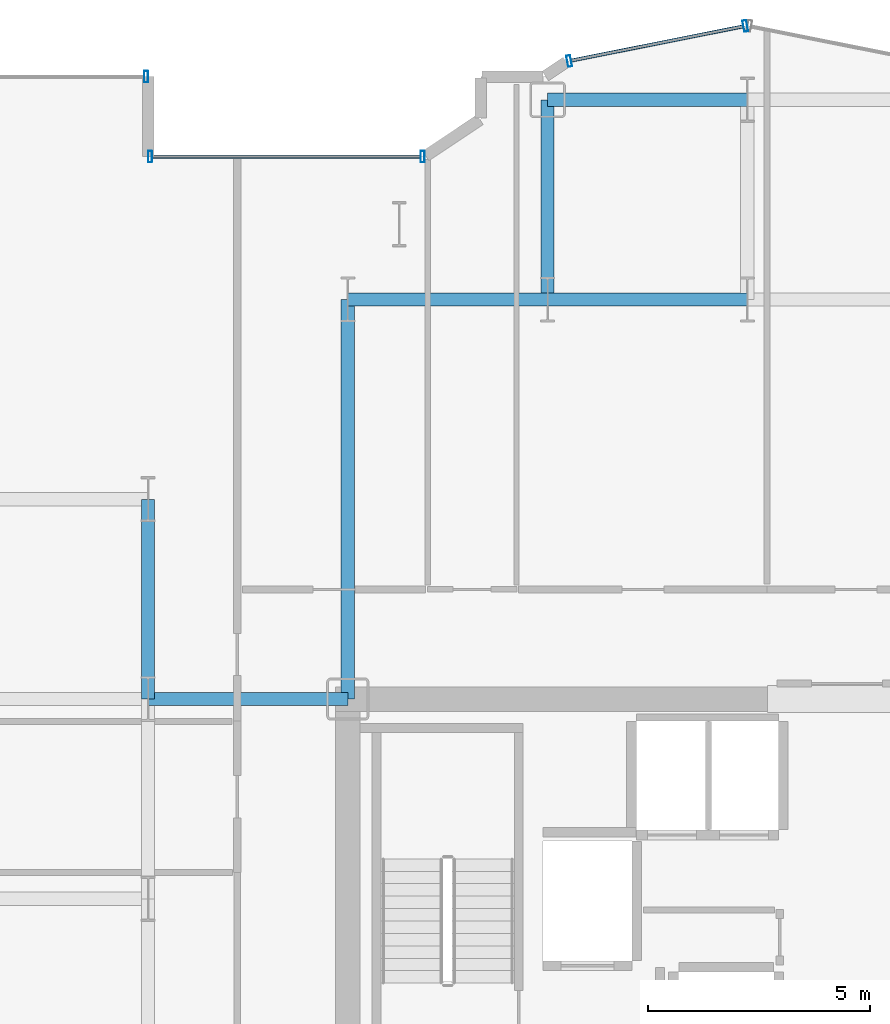
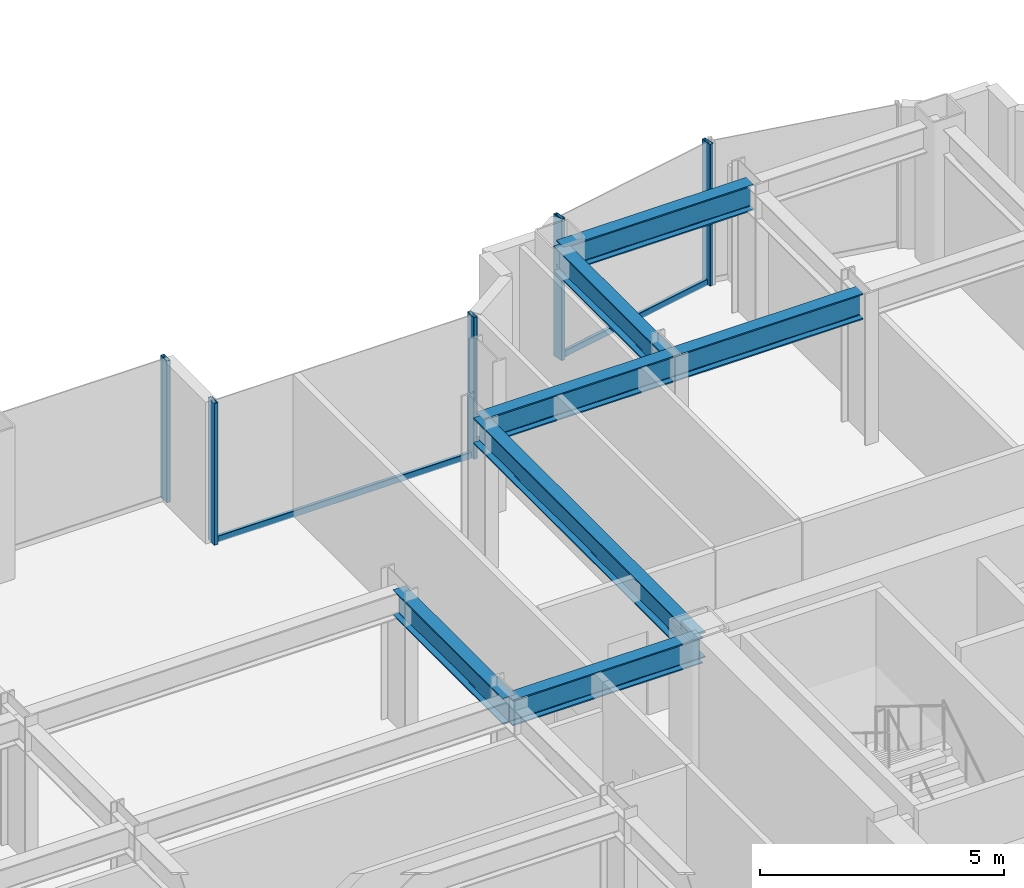
# One storey, part 10 of 26: 7 beams, 7 members, 3 elements without a shape of their own.
"""IFC4 building model written with IfcOpenShell, lengths in metres."""

import ifcopenshell
import ifcopenshell.guid

model = None  # the IFC model being written
_history = None  # IfcOwnerHistory: only IFC2X3 demands one
_inside = {}  # id of a spatial element -> (the spatial element, [elements in it])
_under = {}  # id of a project, library or spatial element -> (it, [spatial elements below it])
_declared = {}  # id of a project -> (the project, [libraries it declares])
_typed = {}  # id of a type object -> (the type object, [elements of that type])
_made_of = {}  # id of a material, layer set ... -> (it, [elements and type objects made of it])


def new_model(schema):
    """Start an empty IFC model of exactly this schema.

    Asked for "IFC4X3", IfcOpenShell would pick the latest addendum, in which some entities
    have other attributes; the version numbers below select the first issue.
    IFC2X3 requires an IfcOwnerHistory on every rooted entity: one is made here for all.
    """
    global model, _history
    if schema == "IFC4X3":
        model = ifcopenshell.file(schema_version=(4, 3, 0, 0))
    else:
        model = ifcopenshell.file(schema=schema)
    _inside.clear()
    _under.clear()
    _declared.clear()
    _typed.clear()
    _made_of.clear()
    _history = None
    if model.schema == "IFC2X3":
        org = make("IfcOrganization", Name="unknown")
        user = make(
            "IfcPersonAndOrganization",
            ThePerson=make("IfcPerson", FamilyName="unknown"),
            TheOrganization=org,
        )
        app = make(
            "IfcApplication",
            ApplicationDeveloper=org,
            Version="unknown",
            ApplicationFullName="unknown",
            ApplicationIdentifier="unknown",
        )
        _history = make(
            "IfcOwnerHistory",
            OwningUser=user,
            OwningApplication=app,
            ChangeAction="ADDED",
            CreationDate=0,
        )
    return model


def make(cls, **values):
    """One entity of the class cls with the attributes given. An attribute that is None is left unset."""
    return model.create_entity(
        cls, **{name: value for name, value in values.items() if value is not None}
    )


def rooted(cls, **values):
    """An entity with a GlobalId (a new one), such as an element, a storey or a relation."""
    return make(cls, GlobalId=ifcopenshell.guid.new(), OwnerHistory=_history, **values)


def si_unit(unit_type, name, prefix=None):
    """IfcSIUnit, for example si_unit("LENGTHUNIT", "METRE", prefix="MILLI")."""
    return make("IfcSIUnit", UnitType=unit_type, Prefix=prefix, Name=name)


def assignment(units):
    """IfcUnitAssignment: the units of a project."""
    return None if units is None else make("IfcUnitAssignment", Units=units)


def point(xyz):
    """IfcCartesianPoint."""
    return None if xyz is None else make("IfcCartesianPoint", Coordinates=xyz)


def direction(xyz):
    """IfcDirection."""
    return None if xyz is None else make("IfcDirection", DirectionRatios=xyz)


def frame(location, z_axis=None, x_axis=None):
    """IfcAxis2Placement3D, a coordinate frame: its origin and axes. An axis left out is left unset."""
    return make(
        "IfcAxis2Placement3D",
        Location=point(location),
        Axis=direction(z_axis),
        RefDirection=direction(x_axis),
    )


def frame_2d(location, x_axis=None):
    """IfcAxis2Placement2D, a coordinate frame in the plane: its origin and x axis."""
    return make(
        "IfcAxis2Placement2D", Location=point(location), RefDirection=direction(x_axis)
    )


def origin():
    """The frame at (0, 0, 0) with its axes left unset."""
    return frame((0.0, 0.0, 0.0))


def origin_2d():
    """The frame at (0, 0) in the plane with its x axis left unset."""
    return frame_2d((0.0, 0.0))


def place(relative_to, where):
    """IfcLocalPlacement: puts the frame where relative to a parent placement (None: the world)."""
    return make(
        "IfcLocalPlacement", PlacementRelTo=relative_to, RelativePlacement=where
    )


def context(
    kind, dimensions, precision=None, world=None, true_north=None, identifier=None
):
    """IfcGeometricRepresentationContext, for example the 3D "Model" context."""
    return make(
        "IfcGeometricRepresentationContext",
        ContextIdentifier=identifier,
        ContextType=kind,
        CoordinateSpaceDimension=dimensions,
        Precision=precision,
        WorldCoordinateSystem=world,
        TrueNorth=true_north,
    )


def subcontext(parent, identifier, kind, view, scale=None):
    """IfcGeometricRepresentationSubContext, for example "Body" below "Model"."""
    return make(
        "IfcGeometricRepresentationSubContext",
        ContextIdentifier=identifier,
        ContextType=kind,
        ParentContext=parent,
        TargetScale=scale,
        TargetView=view,
    )


def project(units=None, contexts=None):
    """IfcProject with its units and contexts."""
    return rooted(
        "IfcProject",
        Name="project",
        RepresentationContexts=contexts,
        UnitsInContext=assignment(units),
    )


def spatial(cls, under=None, at=None, **own):
    """A site, building, storey or space (cls), placed at a placement, below another one or the project."""
    s = rooted(cls, ObjectPlacement=at, **own)
    if under is not None:
        _under.setdefault(under.id(), (under, []))[1].append(s)
    return s


def profile(cls, at=None, kind="AREA", **sizes):
    """A parametric profile (cls). Its sizes go by their IFC names, for example OverallWidth=200.0."""
    return make(cls, ProfileType=kind, Position=at, **sizes)


def hollow_rectangle(**sizes):
    """IfcRectangleHollowProfileDef."""
    return profile("IfcRectangleHollowProfileDef", **sizes)


def i_section(**sizes):
    """IfcIShapeProfileDef."""
    return profile("IfcIShapeProfileDef", **sizes)


def extrude(swept, where, along, depth):
    """IfcExtrudedAreaSolid: the profile swept, set in the frame where, extruded along a direction by depth."""
    return make(
        "IfcExtrudedAreaSolid",
        SweptArea=swept,
        Position=where,
        ExtrudedDirection=direction(along),
        Depth=depth,
    )


def shape(context_of_items, identifier, shape_type, items):
    """IfcShapeRepresentation: the items that make up one representation, for example the "Body"."""
    return make(
        "IfcShapeRepresentation",
        ContextOfItems=context_of_items,
        RepresentationIdentifier=identifier,
        RepresentationType=shape_type,
        Items=items,
    )


def source(mapping_origin, context_of_items, identifier, shape_type, items):
    """IfcRepresentationMap: a shape defined once, which mapped items show again and again."""
    return make(
        "IfcRepresentationMap",
        MappingOrigin=mapping_origin,
        MappedRepresentation=shape(context_of_items, identifier, shape_type, items),
    )


def transform(
    local_origin,
    x_axis=None,
    y_axis=None,
    z_axis=None,
    scale=None,
    scale2=None,
    scale3=None,
    uniform=True,
):
    """IfcCartesianTransformationOperator3D, or its non-uniform kind. x_axis, y_axis, z_axis: its Axis1, 2, 3."""
    if uniform:
        return make(
            "IfcCartesianTransformationOperator3D",
            Axis1=direction(x_axis),
            Axis2=direction(y_axis),
            LocalOrigin=point(local_origin),
            Scale=scale,
            Axis3=direction(z_axis),
        )
    return make(
        "IfcCartesianTransformationOperator3DnonUniform",
        Axis1=direction(x_axis),
        Axis2=direction(y_axis),
        LocalOrigin=point(local_origin),
        Scale=scale,
        Axis3=direction(z_axis),
        Scale2=scale2,
        Scale3=scale3,
    )


def mapped(mapping_source, mapping_target):
    """IfcMappedItem: shows the shape of a source again, moved by a transform."""
    return make(
        "IfcMappedItem", MappingSource=mapping_source, MappingTarget=mapping_target
    )


def material(Name=None, Category=None):
    """IfcMaterial."""
    return make("IfcMaterial", Name=Name, Category=Category)


def layer(
    of_material, thickness, ventilated=None, Name=None, Category=None, Priority=None
):
    """IfcMaterialLayer: one layer of a wall or slab, of a material (None: an air gap)."""
    return make(
        "IfcMaterialLayer",
        Material=of_material,
        LayerThickness=thickness,
        IsVentilated=ventilated,
        Name=Name,
        Category=Category,
        Priority=Priority,
    )


def layer_set(layers, Name=None):
    """IfcMaterialLayerSet."""
    return make("IfcMaterialLayerSet", MaterialLayers=layers, LayerSetName=Name)


def material_profile(
    of_material, cross_section, Name=None, Category=None, Priority=None
):
    """IfcMaterialProfile: a cross section and its material."""
    return make(
        "IfcMaterialProfile",
        Name=Name,
        Material=of_material,
        Profile=cross_section,
        Priority=Priority,
        Category=Category,
    )


def profile_set(profiles, Name=None, composite=None):
    """IfcMaterialProfileSet."""
    return make(
        "IfcMaterialProfileSet",
        Name=Name,
        MaterialProfiles=profiles,
        CompositeProfile=composite,
    )


def made_of(thing, what):
    """Note that an element or type object is made of a material, layer set ...; save() writes the relation."""
    if what is not None:
        _made_of.setdefault(what.id(), (what, []))[1].append(thing)
    return thing


def type_object(cls, material=None, **own):
    """A type object (cls), such as IfcWallType, which elements share."""
    return made_of(rooted(cls, **own), material)


def element(
    cls,
    number,
    at=None,
    inside=None,
    cuts=None,
    type_object=None,
    material=None,
    context=None,
    identifier="Body",
    shape_type=None,
    held_by="IfcProductDefinitionShape",
    body=None,
    shapes=None,
    **own,
):
    """One element of the class cls, such as IfcWall. Its Tag is "e" and its number.

    at: its placement. inside: the storey or other place that contains it. cuts: it is an
    opening in that element (IfcRelVoidsElement). A single representation is given by context,
    identifier, shape_type and body (its items); several are given by shapes. held_by: the class
    of the entity that holds the representations. save() writes the other relations.
    """
    e = rooted(cls, Tag="e%d" % number, ObjectPlacement=at, **own)
    if body is not None:
        shapes = [shape(context, identifier, shape_type, body)]
    if shapes is not None:
        e.Representation = make(held_by, Representations=shapes)
    if inside is not None:
        _inside.setdefault(inside.id(), (inside, []))[1].append(e)
    if cuts is not None:
        rooted(
            "IfcRelVoidsElement", RelatingBuildingElement=cuts, RelatedOpeningElement=e
        )
    if type_object is not None:
        _typed.setdefault(type_object.id(), (type_object, []))[1].append(e)
    return made_of(e, material)


def aggregate(whole, parts):
    """IfcRelAggregates: a whole, such as a stair, and the parts it consists of."""
    return rooted("IfcRelAggregates", RelatingObject=whole, RelatedObjects=parts)


def save(model, path):
    """Write the relations noted so far, then the file.

    IfcRelAggregates (storeys below a building ...), IfcRelContainedInSpatialStructure (elements
    in a storey), IfcRelDefinesByType, IfcRelAssociatesMaterial and IfcRelDeclares: one each for
    every whole, place, type object, material and project.
    """
    for whole, parts in _under.values():
        aggregate(whole, parts)
    for where, things in _inside.values():
        rooted(
            "IfcRelContainedInSpatialStructure",
            RelatedElements=things,
            RelatingStructure=where,
        )
    for kind, things in _typed.values():
        rooted("IfcRelDefinesByType", RelatedObjects=things, RelatingType=kind)
    for what, things in _made_of.values():
        rooted("IfcRelAssociatesMaterial", RelatedObjects=things, RelatingMaterial=what)
    for by, libraries in _declared.values():
        rooted("IfcRelDeclares", RelatingContext=by, RelatedDefinitions=libraries)
    model.write(path)


model = new_model("IFC4")

# Units and contexts
model_context = context("Model", 3, precision=1e-05, world=origin(), true_north=direction((0.0, 1.0)))
body_context = subcontext(model_context, "Body", "Model", "MODEL_VIEW")
ifc_project = project(units=[si_unit("LENGTHUNIT", "METRE"), si_unit("AREAUNIT", "SQUARE_METRE"), si_unit("VOLUMEUNIT", "CUBIC_METRE"), si_unit("PLANEANGLEUNIT", "RADIAN"), si_unit("MASSUNIT", "GRAM", prefix="KILO")], contexts=[model_context])

# Site, building, storey
site_placement = place(None, origin())
site = spatial("IfcSite", under=ifc_project, at=site_placement, CompositionType="ELEMENT")
building_placement = place(site_placement, origin())
building = spatial("IfcBuilding", under=site, at=building_placement, Name="Nefas-Gora Pilgrimage Tower", CompositionType="ELEMENT")
storey_placement = place(building_placement, frame((0.0, 0.0, 117.39990234375)))
storey = spatial("IfcBuildingStorey", under=building, at=storey_placement, Name="L28", CompositionType="ELEMENT", Elevation=117.39990234375)

# Beams
ifc_material_1 = material(Name="Steel S355", Category="steel")
ifc_material_profile_1 = material_profile(ifc_material_1, i_section(OverallWidth=0.300048828125, OverallDepth=0.64990234375, WebThickness=0.01611328125, FlangeThickness=0.031005859375, FilletRadius=0.027099609375, at=origin_2d()), Name="HEB 650")
ifc_profile_set_1 = profile_set([ifc_material_profile_1], Name="Steel S355")
beam_type = type_object("IfcBeamType", Name="BM-GIR-HEB650", PredefinedType="BEAM", material=ifc_profile_set_1)
shared_shape_1 = source(origin(), body_context, "Body", "SweptSolid", [
    extrude(i_section(OverallWidth=0.300048828125, OverallDepth=0.64990234375, WebThickness=0.01611328125, FlangeThickness=0.031005859375, FilletRadius=0.027099609375, at=origin_2d()), origin(), (0.0, 0.0, 1.0), 9.0),
])
beam_placement = place(storey_placement, frame((-11.25, 9.0, 3.22509765625), z_axis=(0.0, 1.0, 0.0), x_axis=(-1.0, 0.0, 0.0)))
element("IfcBeam", 1, at=beam_placement, inside=storey, type_object=beam_type, Name="L28 G-03 beam", PredefinedType="BEAM", context=body_context, shape_type="MappedRepresentation", body=[
    mapped(shared_shape_1, transform((0.0, 0.0, 0.0), x_axis=(1.0, 0.0, 0.0), y_axis=(0.0, 1.0, 0.0), z_axis=(0.0, 0.0, 1.0), scale=1.0)),
])
shared_shape_2 = source(origin(), body_context, "Body", "SweptSolid", [
    extrude(i_section(OverallWidth=0.300048828125, OverallDepth=0.64990234375, WebThickness=0.01611328125, FlangeThickness=0.031005859375, FilletRadius=0.027099609375, at=origin_2d()), origin(), (0.0, 0.0, 1.0), 4.5),
])
for number, where, z_axis, x_axis, name in (
    (2, (-15.75, 9.0, 3.22509765625), (0.0, 1.0, 0.0), (-1.0, 0.0, 0.0), "L28 G-03 beam"),
    (3, (-15.75, 9.0, 3.22509765625), (1.0, 0.0, 0.0), (0.0, 1.0, 0.0), "L28 G-03 beam"),
    (4, (-11.25, 18.0, 3.22509765625), (1.0, 0.0, 0.0), (0.0, 1.0, 0.0), "L28 G-03 beam"),
    (5, (-6.75, 18.0, 3.22509765625), (0.0, 1.0, 0.0), (-1.0, 0.0, 0.0), "L28 G-03 beam"),
    (6, (-6.75, 18.0, 3.22509765625), (1.0, 0.0, 0.0), (0.0, 1.0, 0.0), "L28 G-03 beam"),
    (7, (-6.75, 22.5, 3.22509765625), (1.0, 0.0, 0.0), (0.0, 1.0, 0.0), "L28 G-03 beam"),
):
    element("IfcBeam", number, at=place(storey_placement, frame(where, z_axis=z_axis, x_axis=x_axis)), inside=storey, type_object=beam_type, Name=name, PredefinedType="BEAM", context=body_context, shape_type="MappedRepresentation", body=[
        mapped(shared_shape_2, transform((0.0, 0.0, 0.0), x_axis=(1.0, 0.0, 0.0), y_axis=(0.0, 1.0, 0.0), z_axis=(0.0, 0.0, 1.0), scale=1.0)),
    ])

# Curtain wall, members
ifc_material_2 = material(Name="Dark ceramic-fritted solar-control aluminium-glass curtain wall", Category="aluminium")
ifc_layer_1 = layer(ifc_material_2, 0.219970703125)
ifc_layer_set_1 = layer_set([ifc_layer_1], Name="Dark ceramic-fritted solar-control aluminium-glass curtain wall")
curtain_wall_type_1 = type_object("IfcCurtainWallType", Name="CW-SYS-5", PredefinedType="NOTDEFINED", material=ifc_layer_set_1)
curtain_wall_1_placement = place(storey_placement, origin())
curtain_wall_1 = element("IfcCurtainWall", 8, at=curtain_wall_1_placement, inside=storey, type_object=curtain_wall_type_1, Name="L28 Unitised Curtain Wall CW5", PredefinedType="NOTDEFINED")
ifc_material_3 = material(Name="Anodised architectural aluminium", Category="aluminium")
ifc_material_profile_2 = material_profile(ifc_material_3, hollow_rectangle(XDim=0.090087890625, YDim=0.260009765625, WallThickness=0.006103515625, InnerFilletRadius=0.006103515625, OuterFilletRadius=0.011962890625, at=origin_2d()), Name="ALU MULLION 90x260")
ifc_profile_set_2 = profile_set([ifc_material_profile_2], Name="Anodised architectural aluminium")
member_type_1 = type_object("IfcMemberType", Name="CWM-MUL-5", PredefinedType="MULLION", material=ifc_profile_set_2)
shared_shape_3 = source(origin(), body_context, "Body", "SweptSolid", [
    extrude(hollow_rectangle(XDim=0.090087890625, YDim=0.260009765625, WallThickness=0.006103515625, InnerFilletRadius=0.006103515625, OuterFilletRadius=0.011962890625, at=origin_2d()), origin(), (0.0, 0.0, 1.0), 3.550048828125),
])
member_1_placement = place(storey_placement, frame((-2.294189453125, 24.16357421875, 0.0), z_axis=(0.0, 0.0, 1.0), x_axis=(-0.980782896852, -0.195102304554, 0.0)))
member_1 = element("IfcMember", 9, at=member_1_placement, type_object=member_type_1, Name="CW5 Mullion 1", PredefinedType="MULLION", context=body_context, shape_type="MappedRepresentation", body=[
    mapped(shared_shape_3, transform((0.0, 0.0, 0.0), x_axis=(1.0, 0.0, 0.0), y_axis=(0.0, 1.0, 0.0), z_axis=(0.0, 0.0, 1.0), scale=1.0)),
])
member_2_placement = place(storey_placement, frame((-6.26318359375, 23.3740234375, 0.0), z_axis=(0.0, 0.0, 1.0), x_axis=(-0.980782896852, -0.195102304554, 0.0)))
member_2 = element("IfcMember", 10, at=member_2_placement, type_object=member_type_1, Name="CW5 Mullion 2", PredefinedType="MULLION", context=body_context, shape_type="MappedRepresentation", body=[
    mapped(shared_shape_3, transform((0.0, 0.0, 0.0), x_axis=(1.0, 0.0, 0.0), y_axis=(0.0, 1.0, 0.0), z_axis=(0.0, 0.0, 1.0), scale=1.0)),
])

curtain_wall_2_placement = place(storey_placement, origin())
curtain_wall_2 = element("IfcCurtainWall", 11, at=curtain_wall_2_placement, inside=storey, type_object=curtain_wall_type_1, Name="L28 Unitised Curtain Wall CW5", PredefinedType="NOTDEFINED")
member_3_placement = place(storey_placement, frame((-9.56298828125, 21.219970703125, 0.0), z_axis=(0.0, 0.0, 1.0), x_axis=(-1.0, 0.0, 0.0)))
member_3 = element("IfcMember", 12, at=member_3_placement, type_object=member_type_1, Name="CW5 Mullion 1", PredefinedType="MULLION", context=body_context, shape_type="MappedRepresentation", body=[
    mapped(shared_shape_3, transform((0.0, 0.0, 0.0), x_axis=(1.0, 0.0, 0.0), y_axis=(0.0, 1.0, 0.0), z_axis=(0.0, 0.0, 1.0), scale=1.0)),
])
member_4_placement = place(storey_placement, frame((-15.705078125, 21.219970703125, 0.0), z_axis=(0.0, 0.0, 1.0), x_axis=(-1.0, 0.0, 0.0)))
member_4 = element("IfcMember", 13, at=member_4_placement, type_object=member_type_1, Name="CW5 Mullion 2", PredefinedType="MULLION", context=body_context, shape_type="MappedRepresentation", body=[
    mapped(shared_shape_3, transform((0.0, 0.0, 0.0), x_axis=(1.0, 0.0, 0.0), y_axis=(0.0, 1.0, 0.0), z_axis=(0.0, 0.0, 1.0), scale=1.0)),
])
ifc_material_profile_3 = material_profile(ifc_material_3, hollow_rectangle(XDim=0.080078125, YDim=0.159912109375, WallThickness=0.00439453125, InnerFilletRadius=0.00439453125, OuterFilletRadius=0.009033203125, at=origin_2d()), Name="ALU TRANSOM 80x160")
ifc_profile_set_3 = profile_set([ifc_material_profile_3], Name="Anodised architectural aluminium")
member_type_2 = type_object("IfcMemberType", Name="CWM-TRN-5", PredefinedType="USERDEFINED", material=ifc_profile_set_3)
shared_shape_4 = source(origin(), body_context, "Body", "SweptSolid", [
    extrude(hollow_rectangle(XDim=0.080078125, YDim=0.159912109375, WallThickness=0.00439453125, InnerFilletRadius=0.00439453125, OuterFilletRadius=0.009033203125, at=origin_2d()), origin(), (0.0, 0.0, 1.0), 6.052001953125),
])
member_5_placement = place(storey_placement, frame((-9.60791015625, 21.219970703125, 0.050048828125), z_axis=(-1.0, 0.0, 0.0), x_axis=(0.0, -1.0, 0.0)))
member_5 = element("IfcMember", 14, at=member_5_placement, type_object=member_type_2, Name="CW5 Spandrel Transom", ObjectType="TRANSOM", PredefinedType="USERDEFINED", context=body_context, shape_type="MappedRepresentation", body=[
    mapped(shared_shape_4, transform((0.0, 0.0, 0.0), x_axis=(1.0, 0.0, 0.0), y_axis=(0.0, 1.0, 0.0), z_axis=(0.0, 0.0, 1.0), scale=1.0)),
])
aggregate(curtain_wall_2, [member_3, member_4, member_5])

# Curtain wall, member
ifc_layer_2 = layer(ifc_material_2, 0.219970703125)
ifc_layer_set_2 = layer_set([ifc_layer_2], Name="Dark ceramic-fritted solar-control aluminium-glass curtain wall")
curtain_wall_type_2 = type_object("IfcCurtainWallType", Name="CW-SYS-2", PredefinedType="NOTDEFINED", material=ifc_layer_set_2)
curtain_wall_3_placement = place(storey_placement, origin())
curtain_wall_3 = element("IfcCurtainWall", 15, at=curtain_wall_3_placement, inside=storey, type_object=curtain_wall_type_2, Name="L28 Unitised Curtain Wall CW2", PredefinedType="NOTDEFINED")
ifc_material_profile_4 = material_profile(ifc_material_3, hollow_rectangle(XDim=0.090087890625, YDim=0.260009765625, WallThickness=0.006103515625, InnerFilletRadius=0.006103515625, OuterFilletRadius=0.011962890625, at=origin_2d()), Name="ALU MULLION 90x260")
ifc_profile_set_4 = profile_set([ifc_material_profile_4], Name="Anodised architectural aluminium")
member_type_3 = type_object("IfcMemberType", Name="CWM-MUL-2", PredefinedType="MULLION", material=ifc_profile_set_4)
shared_shape_5 = source(origin(), body_context, "Body", "SweptSolid", [
    extrude(hollow_rectangle(XDim=0.090087890625, YDim=0.260009765625, WallThickness=0.006103515625, InnerFilletRadius=0.006103515625, OuterFilletRadius=0.011962890625, at=origin_2d()), origin(), (0.0, 0.0, 1.0), 3.550048828125),
])
member_6_placement = place(storey_placement, frame((-15.794921875, 23.02001953125, 0.0), z_axis=(0.0, 0.0, 1.0), x_axis=(-1.0, 0.0, 0.0)))
member_6 = element("IfcMember", 16, at=member_6_placement, type_object=member_type_3, Name="CW2 Mullion 1", PredefinedType="MULLION", context=body_context, shape_type="MappedRepresentation", body=[
    mapped(shared_shape_5, transform((0.0, 0.0, 0.0), x_axis=(1.0, 0.0, 0.0), y_axis=(0.0, 1.0, 0.0), z_axis=(0.0, 0.0, 1.0), scale=1.0)),
])
aggregate(curtain_wall_3, [member_6])

# Member
shared_shape_6 = source(origin(), body_context, "Body", "SweptSolid", [
    extrude(hollow_rectangle(XDim=0.080078125, YDim=0.159912109375, WallThickness=0.00439453125, InnerFilletRadius=0.00439453125, OuterFilletRadius=0.009033203125, at=origin_2d()), origin(), (0.0, 0.0, 1.0), 3.95654296875),
])
member_7_placement = place(storey_placement, frame((-2.33837890625, 24.15478515625, 0.050048828125), z_axis=(-0.980781880918, -0.195107411605, 0.0), x_axis=(0.195107411605, -0.980781880918, 0.0)))
member_7 = element("IfcMember", 17, at=member_7_placement, type_object=member_type_2, Name="CW5 Spandrel Transom", ObjectType="TRANSOM", PredefinedType="USERDEFINED", context=body_context, shape_type="MappedRepresentation", body=[
    mapped(shared_shape_6, transform((0.0, 0.0, 0.0), x_axis=(1.0, 0.0, 0.0), y_axis=(0.0, 1.0, 0.0), z_axis=(0.0, 0.0, 1.0), scale=1.0)),
])

aggregate(curtain_wall_1, [member_1, member_2, member_7])

save(model, "model.ifc")
